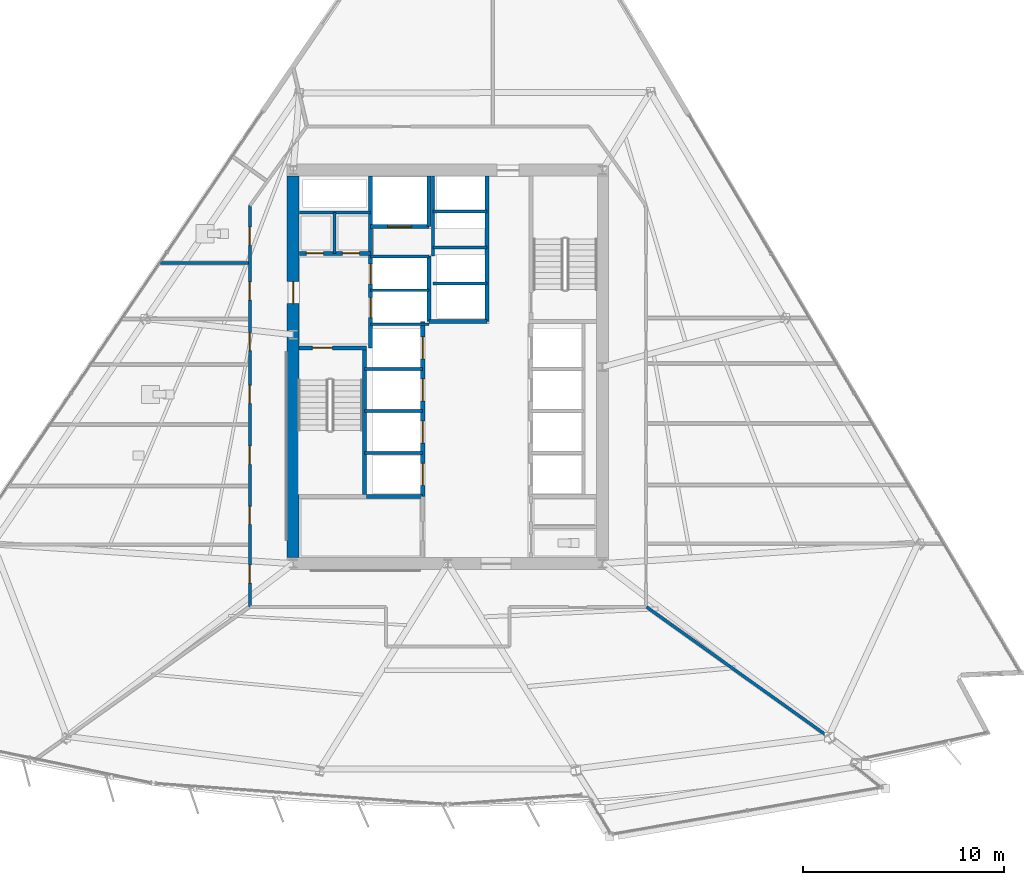
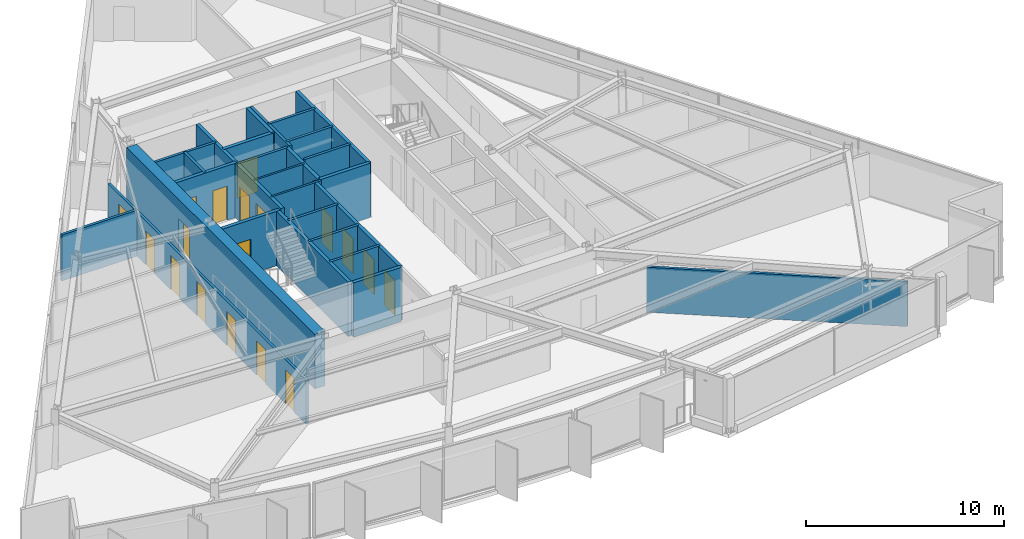
# One storey, part 8 of 15: 27 walls, 18 doors, 18 openings.
"""IFC4 building model written with IfcOpenShell, lengths in metres."""

from ifc_helpers import new_model, si_unit, direction, frame, frame_2d, origin, place, context, subcontext, project, spatial, rectangle, extrude, material, layer, layer_set, type_object, element, fill, save


model = new_model("IFC4")

# Units and contexts
model_context = context("Model", 3, precision=1e-05, world=origin(), true_north=direction((0.0, 1.0)))
body_context = subcontext(model_context, "Body", "Model", "MODEL_VIEW")
ifc_project = project(units=[si_unit("LENGTHUNIT", "METRE"), si_unit("AREAUNIT", "SQUARE_METRE"), si_unit("VOLUMEUNIT", "CUBIC_METRE"), si_unit("PLANEANGLEUNIT", "RADIAN"), si_unit("MASSUNIT", "GRAM", prefix="KILO")], contexts=[model_context])

# Site, building, storey
site_placement = place(None, origin())
site = spatial("IfcSite", under=ifc_project, at=site_placement, CompositionType="ELEMENT")
building_placement = place(site_placement, origin())
building = spatial("IfcBuilding", under=site, at=building_placement, Name="Savorim Split Tower", CompositionType="ELEMENT")
storey_placement = place(building_placement, frame((0.0, 0.0, 93.300048828125)))
storey = spatial("IfcBuildingStorey", under=building, at=storey_placement, Name="L24", CompositionType="ELEMENT", Elevation=93.300048828125)

# Wall, opening, door
ifc_material_1 = material(Name="Concrete C60/75", Category="concrete")
ifc_layer_1 = layer(ifc_material_1, 0.60009765625)
ifc_layer_set_1 = layer_set([ifc_layer_1], Name="WAL-COR-SH600")
wall_type_1 = type_object("IfcWallType", Name="WAL-COR-SH600", PredefinedType="SHEAR", material=ifc_layer_set_1)
wall_1_placement = place(storey_placement, frame((-7.699951171875, -9.10009765625, 0.0), z_axis=(0.0, 0.0, 1.0), x_axis=(0.0, 1.0, 0.0)))
wall_1 = element("IfcWall", 1, at=wall_1_placement, inside=storey, type_object=wall_type_1, Name="L24 Offset Core West Shear Wall", PredefinedType="SHEAR", context=body_context, shape_type="SweptSolid", body=[
    extrude(rectangle(XDim=19.0, YDim=0.60009765625, at=frame_2d((9.5, 0.0))), origin(), (0.0, 0.0, 1.0), 3.349853515625),
])
opening_1_placement = place(wall_1_placement, frame((12.64990234375, 0.0, 0.0)))
opening_1 = element("IfcOpeningElement", 2, at=opening_1_placement, cuts=wall_1, Name="Opening DI-03", PredefinedType="OPENING", context=body_context, shape_type="SweptSolid", body=[
    extrude(rectangle(XDim=1.10009765625, YDim=2.14990234375, at=frame_2d((0.550048828125, 1.074951171875))), frame((0.0, 0.31005859375, 0.0), z_axis=(0.0, -1.0, 0.0), x_axis=(1.0, 0.0, 0.0)), (0.0, 0.0, 1.0), 0.6201171875),
])
ifc_material_2 = material(Name="Timber Fire Door Leaf", Category="wood")
door_type_1 = type_object("IfcDoorType", Name="DOR-FIR-1100", OperationType="NOTDEFINED", PredefinedType="DOOR", material=ifc_material_2)
door_1_placement = place(opening_1_placement, origin())
door_1 = element("IfcDoor", 3, at=door_1_placement, inside=storey, type_object=door_type_1, Name="DOR-L24-COR-FFLOB - L24 Firefighting Lobby Corridor Door", OperationType="SINGLE_SWING_RIGHT", OverallHeight=2.14990234375, OverallWidth=1.10009765625, PredefinedType="DOOR", context=body_context, shape_type="SweptSolid", body=[
    extrude(rectangle(XDim=1.10009765625, YDim=2.14990234375, at=frame_2d((0.550048828125, 1.074951171875))), frame((0.0, 0.02490234375, 0.0), z_axis=(0.0, -1.0, 0.0), x_axis=(1.0, 0.0, 0.0)), (0.0, 0.0, 1.0), 0.050048828125),
])
fill(opening_1, door_1)

ifc_material_3 = material(Name="Concrete C50/60", Category="concrete")
ifc_layer_2 = layer(ifc_material_3, 0.199951171875)
ifc_layer_set_2 = layer_set([ifc_layer_2], Name="WAL-INT-RC200")
wall_type_2 = type_object("IfcWallType", Name="WAL-INT-RC200", PredefinedType="SOLIDWALL", material=ifc_layer_set_2)
wall_2_placement = place(storey_placement, frame((-7.39990234375, 1.35009765625, 0.0), z_axis=(0.0, 0.0, 1.0), x_axis=(1.0, 0.0, 0.0)))
wall_2 = element("IfcWall", 4, at=wall_2_placement, inside=storey, type_object=wall_type_2, Name="L24 Structural Shaft Wall W-L24-CR01", PredefinedType="SOLIDWALL", context=body_context, shape_type="SweptSolid", body=[
    extrude(rectangle(XDim=3.349853515625, YDim=0.199951171875, at=frame_2d((1.6748046875, 0.0))), origin(), (0.0, 0.0, 1.0), 3.349853515625),
])
opening_2_placement = place(wall_2_placement, frame((0.64990234375, 0.0, 0.0)))
opening_2 = element("IfcOpeningElement", 5, at=opening_2_placement, cuts=wall_2, Name="Opening DI-04", PredefinedType="OPENING", context=body_context, shape_type="SweptSolid", body=[
    extrude(rectangle(XDim=1.0, YDim=2.14990234375, at=frame_2d((0.5, 1.074951171875))), frame((0.0, 0.10986328125, 0.0), z_axis=(0.0, -1.0, 0.0), x_axis=(1.0, 0.0, 0.0)), (0.0, 0.0, 1.0), 0.219970703125),
])
door_type_2 = type_object("IfcDoorType", Name="DOR-FIR-1000", OperationType="NOTDEFINED", PredefinedType="DOOR", material=ifc_material_2)
door_2_placement = place(opening_2_placement, origin())
door_2 = element("IfcDoor", 6, at=door_2_placement, inside=storey, type_object=door_type_2, Name="DR-L24-ST1 - L24 Stair ST-1 Enclosure Door", OperationType="SINGLE_SWING_LEFT", OverallHeight=2.14990234375, OverallWidth=1.0, PredefinedType="DOOR", context=body_context, shape_type="SweptSolid", body=[
    extrude(rectangle(XDim=1.0, YDim=2.14990234375, at=frame_2d((0.5, 1.074951171875))), frame((0.0, 0.02490234375, 0.0), z_axis=(0.0, -1.0, 0.0), x_axis=(1.0, 0.0, 0.0)), (0.0, 0.0, 1.0), 0.050048828125),
])
fill(opening_2, door_2)

# Wall
wall_3_placement = place(storey_placement, frame((-4.14990234375, -5.949951171875, 0.0), z_axis=(0.0, 0.0, 1.0), x_axis=(0.0, 1.0, 0.0)))
element("IfcWall", 7, at=wall_3_placement, inside=storey, type_object=wall_type_2, Name="L24 Structural Shaft Wall W-L24-CR02", PredefinedType="SOLIDWALL", context=body_context, shape_type="SweptSolid", body=[
    extrude(rectangle(XDim=7.199951171875, YDim=0.199951171875, at=frame_2d((3.60009765625, 0.0))), origin(), (0.0, 0.0, 1.0), 3.349853515625),
])

# Wall, openings, doors
wall_4_placement = place(storey_placement, frame((-3.85009765625, 1.35009765625, 0.0), z_axis=(0.0, 0.0, 1.0), x_axis=(0.0, 1.0, 0.0)))
wall_4 = element("IfcWall", 8, at=wall_4_placement, inside=storey, type_object=wall_type_2, Name="L24 Partition W-L24-CR03", PredefinedType="SOLIDWALL", context=body_context, shape_type="SweptSolid", body=[
    extrude(rectangle(XDim=8.544921875, YDim=0.199951171875, at=frame_2d((4.2724609375, 0.0))), origin(), (0.0, 0.0, 1.0), 3.349853515625),
])
opening_3_placement = place(wall_4_placement, frame((1.5, 0.0, 0.0)))
opening_3 = element("IfcOpeningElement", 9, at=opening_3_placement, cuts=wall_4, Name="Opening LD-FFL", PredefinedType="OPENING", context=body_context, shape_type="SweptSolid", body=[
    extrude(rectangle(XDim=1.0, YDim=2.14990234375, at=frame_2d((0.5, 1.074951171875))), frame((0.0, 0.10986328125, 0.0), z_axis=(0.0, -1.0, 0.0), x_axis=(1.0, 0.0, 0.0)), (0.0, 0.0, 1.0), 0.219970703125),
])
opening_4_placement = place(wall_4_placement, frame((3.179931640625, 0.0, 0.0)))
opening_4 = element("IfcOpeningElement", 10, at=opening_4_placement, cuts=wall_4, Name="Opening LD-FFL", PredefinedType="OPENING", context=body_context, shape_type="SweptSolid", body=[
    extrude(rectangle(XDim=1.0, YDim=2.14990234375, at=frame_2d((0.5, 1.074951171875))), frame((0.0, 0.10986328125, 0.0), z_axis=(0.0, -1.0, 0.0), x_axis=(1.0, 0.0, 0.0)), (0.0, 0.0, 1.0), 0.219970703125),
])
ifc_material_4 = material(Name="Charcoal Anodised Aluminium", Category="aluminium")
door_type_3 = type_object("IfcDoorType", Name="DOR-SLD-LD1000", OperationType="NOTDEFINED", PredefinedType="DOOR", material=ifc_material_4)
door_3_placement = place(opening_3_placement, origin())
door_3 = element("IfcDoor", 11, at=door_3_placement, inside=storey, type_object=door_type_3, Name="DR-L24-LD-FFL1 - L24 Firefighting Lift FFL-1 Sliding Landing Door", OperationType="DOUBLE_DOOR_SLIDING", OverallHeight=2.14990234375, OverallWidth=1.0, PredefinedType="DOOR", context=body_context, shape_type="SweptSolid", body=[
    extrude(rectangle(XDim=1.0, YDim=2.14990234375, at=frame_2d((0.5, 1.074951171875))), frame((0.0, 0.02490234375, 0.0), z_axis=(0.0, -1.0, 0.0), x_axis=(1.0, 0.0, 0.0)), (0.0, 0.0, 1.0), 0.050048828125),
])
fill(opening_3, door_3)
door_4_placement = place(opening_4_placement, origin())
door_4 = element("IfcDoor", 12, at=door_4_placement, inside=storey, type_object=door_type_3, Name="DR-L24-LD-FFL2 - L24 Firefighting Lift FFL-2 Sliding Landing Door", OperationType="DOUBLE_DOOR_SLIDING", OverallHeight=2.14990234375, OverallWidth=1.0, PredefinedType="DOOR", context=body_context, shape_type="SweptSolid", body=[
    extrude(rectangle(XDim=1.0, YDim=2.14990234375, at=frame_2d((0.5, 1.074951171875))), frame((0.0, 0.02490234375, 0.0), z_axis=(0.0, -1.0, 0.0), x_axis=(1.0, 0.0, 0.0)), (0.0, 0.0, 1.0), 0.050048828125),
])
fill(opening_4, door_4)

wall_5_placement = place(storey_placement, frame((-7.39501953125, 6.050048828125, 0.0), z_axis=(0.0, 0.0, 1.0), x_axis=(1.0, 0.0, 0.0)))
wall_5 = element("IfcWall", 13, at=wall_5_placement, inside=storey, type_object=wall_type_2, Name="L24 Partition W-L24-CR04", PredefinedType="SOLIDWALL", context=body_context, shape_type="SweptSolid", body=[
    extrude(rectangle(XDim=3.544921875, YDim=0.199951171875, at=frame_2d((1.7724609375, 0.0))), origin(), (0.0, 0.0, 1.0), 3.349853515625),
])
opening_5_placement = place(wall_5_placement, frame((0.344970703125, 0.0, 0.0)))
opening_5 = element("IfcOpeningElement", 14, at=opening_5_placement, cuts=wall_5, Name="Opening DI-12", PredefinedType="OPENING", context=body_context, shape_type="SweptSolid", body=[
    extrude(rectangle(XDim=0.85009765625, YDim=2.10009765625, at=frame_2d((0.425048828125, 1.050048828125))), frame((0.0, 0.10986328125, 0.0), z_axis=(0.0, -1.0, 0.0), x_axis=(1.0, 0.0, 0.0)), (0.0, 0.0, 1.0), 0.219970703125),
])
opening_6_placement = place(wall_5_placement, frame((2.14501953125, 0.0, 0.0)))
opening_6 = element("IfcOpeningElement", 15, at=opening_6_placement, cuts=wall_5, Name="Opening DI-12", PredefinedType="OPENING", context=body_context, shape_type="SweptSolid", body=[
    extrude(rectangle(XDim=0.85009765625, YDim=2.10009765625, at=frame_2d((0.425048828125, 1.050048828125))), frame((0.0, 0.10986328125, 0.0), z_axis=(0.0, -1.0, 0.0), x_axis=(1.0, 0.0, 0.0)), (0.0, 0.0, 1.0), 0.219970703125),
])
ifc_material_5 = material(Name="Galvanised Painted Steel Balustrade", Category="steel")
door_type_4 = type_object("IfcDoorType", Name="DOR-RIS-850", OperationType="NOTDEFINED", PredefinedType="DOOR", material=ifc_material_5)
door_5_placement = place(opening_5_placement, origin())
door_5 = element("IfcDoor", 16, at=door_5_placement, inside=storey, type_object=door_type_4, Name="DR-L24-ELR - L24 Electrical Riser Access Door", OperationType="SINGLE_SWING_RIGHT", OverallHeight=2.10009765625, OverallWidth=0.85009765625, PredefinedType="DOOR", context=body_context, shape_type="SweptSolid", body=[
    extrude(rectangle(XDim=0.85009765625, YDim=2.10009765625, at=frame_2d((0.425048828125, 1.050048828125))), frame((0.0, 0.02490234375, 0.0), z_axis=(0.0, -1.0, 0.0), x_axis=(1.0, 0.0, 0.0)), (0.0, 0.0, 1.0), 0.050048828125),
])
fill(opening_5, door_5)
door_6_placement = place(opening_6_placement, origin())
door_6 = element("IfcDoor", 17, at=door_6_placement, inside=storey, type_object=door_type_4, Name="DR-L24-TLR - L24 Telecom Riser Access Door", OperationType="SINGLE_SWING_LEFT", OverallHeight=2.10009765625, OverallWidth=0.85009765625, PredefinedType="DOOR", context=body_context, shape_type="SweptSolid", body=[
    extrude(rectangle(XDim=0.85009765625, YDim=2.10009765625, at=frame_2d((0.425048828125, 1.050048828125))), frame((0.0, 0.02490234375, 0.0), z_axis=(0.0, -1.0, 0.0), x_axis=(1.0, 0.0, 0.0)), (0.0, 0.0, 1.0), 0.050048828125),
])
fill(opening_6, door_6)

# Wall
wall_6_placement = place(storey_placement, frame((-0.949951171875, 2.64990234375, 0.0), z_axis=(0.0, 0.0, 1.0), x_axis=(0.0, 1.0, 0.0)))
element("IfcWall", 18, at=wall_6_placement, inside=storey, type_object=wall_type_2, Name="L24 Partition W-L24-FFLW", PredefinedType="SOLIDWALL", context=body_context, shape_type="SweptSolid", body=[
    extrude(rectangle(XDim=3.27001953125, YDim=0.199951171875, at=frame_2d((1.635009765625, 0.0))), origin(), (0.0, 0.0, 1.0), 3.349853515625),
])

# Wall, opening, door
wall_7_placement = place(storey_placement, frame((-3.85009765625, 7.3798828125, 0.0), z_axis=(0.0, 0.0, 1.0), x_axis=(1.0, 0.0, 0.0)))
wall_7 = element("IfcWall", 19, at=wall_7_placement, inside=storey, type_object=wall_type_2, Name="L24 Partition W-L24-SVLS", PredefinedType="SOLIDWALL", context=body_context, shape_type="SweptSolid", body=[
    extrude(rectangle(XDim=2.900146484375, YDim=0.199951171875, at=frame_2d((1.4501953125, 0.0))), origin(), (0.0, 0.0, 1.0), 3.349853515625),
])
opening_7_placement = place(wall_7_placement, frame((0.85009765625, 0.0, 0.0)))
opening_7 = element("IfcOpeningElement", 20, at=opening_7_placement, cuts=wall_7, Name="Opening LD-SV", PredefinedType="OPENING", context=body_context, shape_type="SweptSolid", body=[
    extrude(rectangle(XDim=1.199951171875, YDim=2.199951171875, at=frame_2d((0.60009765625, 1.10009765625))), frame((0.0, 0.10986328125, 0.0), z_axis=(0.0, -1.0, 0.0), x_axis=(1.0, 0.0, 0.0)), (0.0, 0.0, 1.0), 0.219970703125),
])
door_type_5 = type_object("IfcDoorType", Name="DOR-SLD-SV1200", OperationType="NOTDEFINED", PredefinedType="DOOR", material=ifc_material_4)
door_7_placement = place(opening_7_placement, origin())
door_7 = element("IfcDoor", 21, at=door_7_placement, inside=storey, type_object=door_type_5, Name="DR-L24-LD-SVL1 - L24 Service Lift SVL-1 Sliding Landing Door", OperationType="DOUBLE_DOOR_SLIDING", OverallHeight=2.199951171875, OverallWidth=1.199951171875, PredefinedType="DOOR", context=body_context, shape_type="SweptSolid", body=[
    extrude(rectangle(XDim=1.199951171875, YDim=2.199951171875, at=frame_2d((0.60009765625, 1.10009765625))), frame((0.0, 0.02490234375, 0.0), z_axis=(0.0, -1.0, 0.0), x_axis=(1.0, 0.0, 0.0)), (0.0, 0.0, 1.0), 0.050048828125),
])
fill(opening_7, door_7)

# Wall
wall_8_placement = place(storey_placement, frame((-0.949951171875, 7.3798828125, 0.0), z_axis=(0.0, 0.0, 1.0), x_axis=(0.0, 1.0, 0.0)))
element("IfcWall", 22, at=wall_8_placement, inside=storey, type_object=wall_type_2, Name="L24 Partition W-L24-SVLE", PredefinedType="SOLIDWALL", context=body_context, shape_type="SweptSolid", body=[
    extrude(rectangle(XDim=2.51513671875, YDim=0.199951171875, at=frame_2d((1.257568359375, 0.0))), origin(), (0.0, 0.0, 1.0), 3.349853515625),
])

# Wall, openings, doors
wall_9_placement = place(storey_placement, frame((-1.25, -6.050048828125, 0.0), z_axis=(0.0, 0.0, 1.0), x_axis=(0.0, 1.0, 0.0)))
wall_9 = element("IfcWall", 23, at=wall_9_placement, inside=storey, type_object=wall_type_2, Name="L24 Partition W-L24-B2FRONT", PredefinedType="SOLIDWALL", context=body_context, shape_type="SweptSolid", body=[
    extrude(rectangle(XDim=8.699951171875, YDim=0.199951171875, at=frame_2d((4.35009765625, 0.0))), origin(), (0.0, 0.0, 1.0), 3.349853515625),
])
opening_8_placement = place(wall_9_placement, frame((0.550048828125, 0.0, 0.0)))
opening_8 = element("IfcOpeningElement", 24, at=opening_8_placement, cuts=wall_9, Name="Opening LD-02", PredefinedType="OPENING", context=body_context, shape_type="SweptSolid", body=[
    extrude(rectangle(XDim=1.10009765625, YDim=2.14990234375, at=frame_2d((0.550048828125, 1.074951171875))), frame((0.0, 0.10986328125, 0.0), z_axis=(0.0, -1.0, 0.0), x_axis=(1.0, 0.0, 0.0)), (0.0, 0.0, 1.0), 0.219970703125),
])
opening_9_placement = place(wall_9_placement, frame((2.64990234375, 0.0, 0.0)))
opening_9 = element("IfcOpeningElement", 25, at=opening_9_placement, cuts=wall_9, Name="Opening LD-02", PredefinedType="OPENING", context=body_context, shape_type="SweptSolid", body=[
    extrude(rectangle(XDim=1.10009765625, YDim=2.14990234375, at=frame_2d((0.550048828125, 1.074951171875))), frame((0.0, 0.10986328125, 0.0), z_axis=(0.0, -1.0, 0.0), x_axis=(1.0, 0.0, 0.0)), (0.0, 0.0, 1.0), 0.219970703125),
])
opening_10_placement = place(wall_9_placement, frame((4.75, 0.0, 0.0)))
opening_10 = element("IfcOpeningElement", 26, at=opening_10_placement, cuts=wall_9, Name="Opening LD-02", PredefinedType="OPENING", context=body_context, shape_type="SweptSolid", body=[
    extrude(rectangle(XDim=1.10009765625, YDim=2.14990234375, at=frame_2d((0.550048828125, 1.074951171875))), frame((0.0, 0.10986328125, 0.0), z_axis=(0.0, -1.0, 0.0), x_axis=(1.0, 0.0, 0.0)), (0.0, 0.0, 1.0), 0.219970703125),
])
opening_11_placement = place(wall_9_placement, frame((6.85009765625, 0.0, 0.0)))
opening_11 = element("IfcOpeningElement", 27, at=opening_11_placement, cuts=wall_9, Name="Opening LD-02", PredefinedType="OPENING", context=body_context, shape_type="SweptSolid", body=[
    extrude(rectangle(XDim=1.10009765625, YDim=2.14990234375, at=frame_2d((0.550048828125, 1.074951171875))), frame((0.0, 0.10986328125, 0.0), z_axis=(0.0, -1.0, 0.0), x_axis=(1.0, 0.0, 0.0)), (0.0, 0.0, 1.0), 0.219970703125),
])
door_type_6 = type_object("IfcDoorType", Name="DOR-SLD-LDM1100", OperationType="NOTDEFINED", PredefinedType="DOOR", material=ifc_material_4)
door_8_placement = place(opening_8_placement, origin())
door_8 = element("IfcDoor", 28, at=door_8_placement, inside=storey, type_object=door_type_6, Name="DR-L24-LD-PLM1 - L24 Lift PL-M1 Sliding Landing Door", OperationType="DOUBLE_DOOR_SLIDING", OverallHeight=2.14990234375, OverallWidth=1.10009765625, PredefinedType="DOOR", context=body_context, shape_type="SweptSolid", body=[
    extrude(rectangle(XDim=1.10009765625, YDim=2.14990234375, at=frame_2d((0.550048828125, 1.074951171875))), frame((0.0, 0.02490234375, 0.0), z_axis=(0.0, -1.0, 0.0), x_axis=(1.0, 0.0, 0.0)), (0.0, 0.0, 1.0), 0.050048828125),
])
fill(opening_8, door_8)
door_9_placement = place(opening_9_placement, origin())
door_9 = element("IfcDoor", 29, at=door_9_placement, inside=storey, type_object=door_type_6, Name="DR-L24-LD-PLM2 - L24 Lift PL-M2 Sliding Landing Door", OperationType="DOUBLE_DOOR_SLIDING", OverallHeight=2.14990234375, OverallWidth=1.10009765625, PredefinedType="DOOR", context=body_context, shape_type="SweptSolid", body=[
    extrude(rectangle(XDim=1.10009765625, YDim=2.14990234375, at=frame_2d((0.550048828125, 1.074951171875))), frame((0.0, 0.02490234375, 0.0), z_axis=(0.0, -1.0, 0.0), x_axis=(1.0, 0.0, 0.0)), (0.0, 0.0, 1.0), 0.050048828125),
])
fill(opening_9, door_9)
door_10_placement = place(opening_10_placement, origin())
door_10 = element("IfcDoor", 30, at=door_10_placement, inside=storey, type_object=door_type_6, Name="DR-L24-LD-PLM3 - L24 Lift PL-M3 Sliding Landing Door", OperationType="DOUBLE_DOOR_SLIDING", OverallHeight=2.14990234375, OverallWidth=1.10009765625, PredefinedType="DOOR", context=body_context, shape_type="SweptSolid", body=[
    extrude(rectangle(XDim=1.10009765625, YDim=2.14990234375, at=frame_2d((0.550048828125, 1.074951171875))), frame((0.0, 0.02490234375, 0.0), z_axis=(0.0, -1.0, 0.0), x_axis=(1.0, 0.0, 0.0)), (0.0, 0.0, 1.0), 0.050048828125),
])
fill(opening_10, door_10)
door_11_placement = place(opening_11_placement, origin())
door_11 = element("IfcDoor", 31, at=door_11_placement, inside=storey, type_object=door_type_6, Name="DR-L24-LD-PLM4 - L24 Lift PL-M4 Sliding Landing Door", OperationType="DOUBLE_DOOR_SLIDING", OverallHeight=2.14990234375, OverallWidth=1.10009765625, PredefinedType="DOOR", context=body_context, shape_type="SweptSolid", body=[
    extrude(rectangle(XDim=1.10009765625, YDim=2.14990234375, at=frame_2d((0.550048828125, 1.074951171875))), frame((0.0, 0.02490234375, 0.0), z_axis=(0.0, -1.0, 0.0), x_axis=(1.0, 0.0, 0.0)), (0.0, 0.0, 1.0), 0.050048828125),
])
fill(opening_11, door_11)

# Walls
wall_10_placement = place(storey_placement, frame((1.949951171875, 2.64990234375, 0.0), z_axis=(0.0, 0.0, 1.0), x_axis=(0.0, 1.0, 0.0)))
element("IfcWall", 32, at=wall_10_placement, inside=storey, type_object=wall_type_2, Name="L24 Partition W-L24-B3FRONT", PredefinedType="SOLIDWALL", context=body_context, shape_type="SweptSolid", body=[
    extrude(rectangle(XDim=7.2451171875, YDim=0.199951171875, at=frame_2d((3.62255859375, 0.0))), origin(), (0.0, 0.0, 1.0), 3.349853515625),
])
wall_11_placement = place(storey_placement, frame((-0.949951171875, 2.64990234375, 0.0), z_axis=(0.0, 0.0, 1.0), x_axis=(1.0, 0.0, 0.0)))
element("IfcWall", 33, at=wall_11_placement, inside=storey, type_object=wall_type_2, Name="L24 Partition W-L24-B3SOUTH", PredefinedType="SOLIDWALL", context=body_context, shape_type="SweptSolid", body=[
    extrude(rectangle(XDim=2.89990234375, YDim=0.199951171875, at=frame_2d((1.449951171875, 0.0))), origin(), (0.0, 0.0, 1.0), 3.349853515625),
])
wall_12_placement = place(storey_placement, frame((-4.0400390625, -6.050048828125, 0.0), z_axis=(0.0, 0.0, 1.0), x_axis=(1.0, 0.0, 0.0)))
element("IfcWall", 34, at=wall_12_placement, inside=storey, type_object=wall_type_2, Name="L24 Partition W-L24-KSEP-W2", PredefinedType="SOLIDWALL", context=body_context, shape_type="SweptSolid", body=[
    extrude(rectangle(XDim=2.7900390625, YDim=0.199951171875, at=frame_2d((1.39501953125, 0.0))), origin(), (0.0, 0.0, 1.0), 3.349853515625),
])
ifc_material_6 = material(Name="Acoustic Gypsum Partition Board")
ifc_layer_3 = layer(ifc_material_6, 0.1201171875)
ifc_layer_set_3 = layer_set([ifc_layer_3], Name="WAL-PAR-120")
wall_type_3 = type_object("IfcWallType", Name="WAL-PAR-120", PredefinedType="PARTITIONING", material=ifc_layer_set_3)
for number, where, z_axis, x_axis, name in (
    (35, (-3.85009765625, 2.52001953125, 0.0), (0.0, 0.0, 1.0), (1.0, 0.0, 0.0), "L24 Partition W-L24-FFLD0"),
    (36, (-3.85009765625, 4.219970703125, 0.0), (0.0, 0.0, 1.0), (1.0, 0.0, 0.0), "L24 Partition W-L24-FFLD1"),
):
    element("IfcWall", number, at=place(storey_placement, frame(where, z_axis=z_axis, x_axis=x_axis)), inside=storey, type_object=wall_type_3, Name=name, PredefinedType="PARTITIONING", context=body_context, shape_type="SweptSolid", body=[
        extrude(rectangle(XDim=2.900146484375, YDim=0.1201171875, at=frame_2d((1.4501953125, 0.0))), origin(), (0.0, 0.0, 1.0), 3.349853515625),
    ])
ifc_layer_4 = layer(ifc_material_6, 0.14990234375)
ifc_layer_set_4 = layer_set([ifc_layer_4], Name="WAL-PAR-150")
wall_type_4 = type_object("IfcWallType", Name="WAL-PAR-150", PredefinedType="PARTITIONING", material=ifc_layer_set_4)
wall_13_placement = place(storey_placement, frame((-7.39501953125, 8.10009765625, 0.0), z_axis=(0.0, 0.0, 1.0), x_axis=(1.0, 0.0, 0.0)))
element("IfcWall", 37, at=wall_13_placement, inside=storey, type_object=wall_type_4, Name="L24 Partition W-L24-CR05", PredefinedType="PARTITIONING", context=body_context, shape_type="SweptSolid", body=[
    extrude(rectangle(XDim=3.544921875, YDim=0.14990234375, at=frame_2d((1.7724609375, 0.0))), origin(), (0.0, 0.0, 1.0), 3.349853515625),
])
wall_14_placement = place(storey_placement, frame((-5.64990234375, 6.050048828125, 0.0), z_axis=(0.0, 0.0, 1.0), x_axis=(0.0, 1.0, 0.0)))
element("IfcWall", 38, at=wall_14_placement, inside=storey, type_object=wall_type_4, Name="L24 Partition W-L24-CR06", PredefinedType="PARTITIONING", context=body_context, shape_type="SweptSolid", body=[
    extrude(rectangle(XDim=2.050048828125, YDim=0.14990234375, at=frame_2d((1.02490234375, 0.0))), origin(), (0.0, 0.0, 1.0), 3.349853515625),
])
wall_15_placement = place(storey_placement, frame((-3.85009765625, 5.89990234375, 0.0), z_axis=(0.0, 0.0, 1.0), x_axis=(1.0, 0.0, 0.0)))
element("IfcWall", 39, at=wall_15_placement, inside=storey, type_object=wall_type_4, Name="L24 Partition W-L24-FFLD2", PredefinedType="PARTITIONING", context=body_context, shape_type="SweptSolid", body=[
    extrude(rectangle(XDim=2.900146484375, YDim=0.14990234375, at=frame_2d((1.4501953125, 0.0))), origin(), (0.0, 0.0, 1.0), 3.349853515625),
])
for number, where, z_axis, x_axis, name in (
    (40, (-4.14990234375, -3.89990234375, 0.0), (0.0, 0.0, 1.0), (1.0, 0.0, 0.0), "L24 Partition W-L24-B2DIV1"),
    (41, (-4.14990234375, -1.800048828125, 0.0), (0.0, 0.0, 1.0), (1.0, 0.0, 0.0), "L24 Partition W-L24-B2DIV2"),
    (42, (-4.14990234375, 0.300048828125, 0.0), (0.0, 0.0, 1.0), (1.0, 0.0, 0.0), "L24 Partition W-L24-B2DIV3"),
):
    element("IfcWall", number, at=place(storey_placement, frame(where, z_axis=z_axis, x_axis=x_axis)), inside=storey, type_object=wall_type_4, Name=name, PredefinedType="PARTITIONING", context=body_context, shape_type="SweptSolid", body=[
        extrude(rectangle(XDim=2.89990234375, YDim=0.14990234375, at=frame_2d((1.449951171875, 0.0))), origin(), (0.0, 0.0, 1.0), 3.349853515625),
    ])
wall_16_placement = place(storey_placement, frame((-0.75, 5.919921875, 0.0), z_axis=(0.0, 0.0, 1.0), x_axis=(0.0, 1.0, 0.0)))
element("IfcWall", 43, at=wall_16_placement, inside=storey, type_object=wall_type_4, Name="L24 Partition W-L24-B3WEST", PredefinedType="PARTITIONING", context=body_context, shape_type="SweptSolid", body=[
    extrude(rectangle(XDim=3.97509765625, YDim=0.14990234375, at=frame_2d((1.987548828125, 0.0))), origin(), (0.0, 0.0, 1.0), 3.349853515625),
])
for number, where, z_axis, x_axis, name in (
    (44, (-0.75, 4.550048828125, 0.0), (0.0, 0.0, 1.0), (1.0, 0.0, 0.0), "L24 Partition W-L24-B3DIV1"),
    (45, (-0.75, 6.35009765625, 0.0), (0.0, 0.0, 1.0), (1.0, 0.0, 0.0), "L24 Partition W-L24-B3DIV2"),
    (46, (-0.75, 8.14990234375, 0.0), (0.0, 0.0, 1.0), (1.0, 0.0, 0.0), "L24 Partition W-L24-B3DIV3"),
):
    element("IfcWall", number, at=place(storey_placement, frame(where, z_axis=z_axis, x_axis=x_axis)), inside=storey, type_object=wall_type_4, Name=name, PredefinedType="PARTITIONING", context=body_context, shape_type="SweptSolid", body=[
        extrude(rectangle(XDim=2.699951171875, YDim=0.14990234375, at=frame_2d((1.35009765625, 0.0))), origin(), (0.0, 0.0, 1.0), 3.349853515625),
    ])

# Wall, openings, doors
wall_17_placement = place(storey_placement, frame((-9.860107421875, -11.56005859375, 0.0), z_axis=(0.0, 0.0, 1.0), x_axis=(0.0, 1.0, 0.0)))
wall_17 = element("IfcWall", 47, at=wall_17_placement, inside=storey, type_object=wall_type_4, Name="L24 Partition W-L24-COR-01", PredefinedType="PARTITIONING", context=body_context, shape_type="SweptSolid", body=[
    extrude(rectangle(XDim=19.98583984375, YDim=0.14990234375, at=frame_2d((9.992919921875, 0.0))), origin(), (0.0, 0.0, 1.0), 2.704833984375),
])
opening_12_placement = place(wall_17_placement, frame((10.139892578125, 0.0, 0.0)))
opening_12 = element("IfcOpeningElement", 48, at=opening_12_placement, cuts=wall_17, Name="Opening DI-11", PredefinedType="OPENING", context=body_context, shape_type="SweptSolid", body=[
    extrude(rectangle(XDim=0.89990234375, YDim=2.10009765625, at=frame_2d((0.449951171875, 1.050048828125))), frame((0.0, 0.0849609375, 0.0), z_axis=(0.0, -1.0, 0.0), x_axis=(1.0, 0.0, 0.0)), (0.0, 0.0, 1.0), 0.169921875),
])
opening_13_placement = place(wall_17_placement, frame((7.108642578125, 0.0, 0.0)))
opening_13 = element("IfcOpeningElement", 49, at=opening_13_placement, cuts=wall_17, Name="Opening DI-06", PredefinedType="OPENING", context=body_context, shape_type="SweptSolid", body=[
    extrude(rectangle(XDim=0.89990234375, YDim=2.10009765625, at=frame_2d((0.449951171875, 1.050048828125))), frame((0.0, 0.0849609375, 0.0), z_axis=(0.0, -1.0, 0.0), x_axis=(1.0, 0.0, 0.0)), (0.0, 0.0, 1.0), 0.169921875),
])
opening_14_placement = place(wall_17_placement, frame((4.114990234375, 0.0, 0.0)))
opening_14 = element("IfcOpeningElement", 50, at=opening_14_placement, cuts=wall_17, Name="Opening DI-06", PredefinedType="OPENING", context=body_context, shape_type="SweptSolid", body=[
    extrude(rectangle(XDim=0.89990234375, YDim=2.10009765625, at=frame_2d((0.449951171875, 1.050048828125))), frame((0.0, 0.0849609375, 0.0), z_axis=(0.0, -1.0, 0.0), x_axis=(1.0, 0.0, 0.0)), (0.0, 0.0, 1.0), 0.169921875),
])
opening_15_placement = place(wall_17_placement, frame((1.192138671875, 0.0, 0.0)))
opening_15 = element("IfcOpeningElement", 51, at=opening_15_placement, cuts=wall_17, Name="Opening DI-06", PredefinedType="OPENING", context=body_context, shape_type="SweptSolid", body=[
    extrude(rectangle(XDim=0.89990234375, YDim=2.10009765625, at=frame_2d((0.449951171875, 1.050048828125))), frame((0.0, 0.0849609375, 0.0), z_axis=(0.0, -1.0, 0.0), x_axis=(1.0, 0.0, 0.0)), (0.0, 0.0, 1.0), 0.169921875),
])
opening_16_placement = place(wall_17_placement, frame((18.01708984375, 0.0, 0.0)))
opening_16 = element("IfcOpeningElement", 52, at=opening_16_placement, cuts=wall_17, Name="Opening DI-11", PredefinedType="OPENING", context=body_context, shape_type="SweptSolid", body=[
    extrude(rectangle(XDim=0.89990234375, YDim=2.10009765625, at=frame_2d((0.449951171875, 1.050048828125))), frame((0.0, 0.0849609375, 0.0), z_axis=(0.0, -1.0, 0.0), x_axis=(1.0, 0.0, 0.0)), (0.0, 0.0, 1.0), 0.169921875),
])
opening_17_placement = place(wall_17_placement, frame((15.287841796875, 0.0, 0.0)))
opening_17 = element("IfcOpeningElement", 53, at=opening_17_placement, cuts=wall_17, Name="Opening DI-06", PredefinedType="OPENING", context=body_context, shape_type="SweptSolid", body=[
    extrude(rectangle(XDim=0.89990234375, YDim=2.10009765625, at=frame_2d((0.449951171875, 1.050048828125))), frame((0.0, 0.0849609375, 0.0), z_axis=(0.0, -1.0, 0.0), x_axis=(1.0, 0.0, 0.0)), (0.0, 0.0, 1.0), 0.169921875),
])
opening_18_placement = place(wall_17_placement, frame((12.767822265625, 0.0, 0.0)))
opening_18 = element("IfcOpeningElement", 54, at=opening_18_placement, cuts=wall_17, Name="Opening DI-06", PredefinedType="OPENING", context=body_context, shape_type="SweptSolid", body=[
    extrude(rectangle(XDim=0.89990234375, YDim=2.10009765625, at=frame_2d((0.449951171875, 1.050048828125))), frame((0.0, 0.0849609375, 0.0), z_axis=(0.0, -1.0, 0.0), x_axis=(1.0, 0.0, 0.0)), (0.0, 0.0, 1.0), 0.169921875),
])
door_type_7 = type_object("IfcDoorType", Name="DOR-FIR-900", OperationType="NOTDEFINED", PredefinedType="DOOR", material=ifc_material_2)
door_12_placement = place(opening_13_placement, origin())
door_12 = element("IfcDoor", 55, at=door_12_placement, inside=storey, type_object=door_type_7, Name="DR-L24-RM02 - L24 Shared Kitchen Entry Door", OperationType="SINGLE_SWING_LEFT", OverallHeight=2.10009765625, OverallWidth=0.89990234375, PredefinedType="DOOR", context=body_context, shape_type="SweptSolid", body=[
    extrude(rectangle(XDim=0.89990234375, YDim=2.10009765625, at=frame_2d((0.449951171875, 1.050048828125))), frame((0.0, 0.02490234375, 0.0), z_axis=(0.0, -1.0, 0.0), x_axis=(1.0, 0.0, 0.0)), (0.0, 0.0, 1.0), 0.050048828125),
])
fill(opening_13, door_12)
door_13_placement = place(opening_14_placement, origin())
door_13 = element("IfcDoor", 56, at=door_13_placement, inside=storey, type_object=door_type_7, Name="DR-L24-RM03 - L24 Co-Working Commons Entry Door", OperationType="SINGLE_SWING_RIGHT", OverallHeight=2.10009765625, OverallWidth=0.89990234375, PredefinedType="DOOR", context=body_context, shape_type="SweptSolid", body=[
    extrude(rectangle(XDim=0.89990234375, YDim=2.10009765625, at=frame_2d((0.449951171875, 1.050048828125))), frame((0.0, 0.02490234375, 0.0), z_axis=(0.0, -1.0, 0.0), x_axis=(1.0, 0.0, 0.0)), (0.0, 0.0, 1.0), 0.050048828125),
])
fill(opening_14, door_13)
door_14_placement = place(opening_15_placement, origin())
door_14 = element("IfcDoor", 57, at=door_14_placement, inside=storey, type_object=door_type_7, Name="DR-L24-RM04 - L24 Co-Working Commons Entry Door", OperationType="SINGLE_SWING_LEFT", OverallHeight=2.10009765625, OverallWidth=0.89990234375, PredefinedType="DOOR", context=body_context, shape_type="SweptSolid", body=[
    extrude(rectangle(XDim=0.89990234375, YDim=2.10009765625, at=frame_2d((0.449951171875, 1.050048828125))), frame((0.0, 0.02490234375, 0.0), z_axis=(0.0, -1.0, 0.0), x_axis=(1.0, 0.0, 0.0)), (0.0, 0.0, 1.0), 0.050048828125),
])
fill(opening_15, door_14)
door_15_placement = place(opening_17_placement, origin())
door_15 = element("IfcDoor", 58, at=door_15_placement, inside=storey, type_object=door_type_7, Name="DR-L24-RM15 - L24 Maker Workshop Entry Door", OperationType="SINGLE_SWING_RIGHT", OverallHeight=2.10009765625, OverallWidth=0.89990234375, PredefinedType="DOOR", context=body_context, shape_type="SweptSolid", body=[
    extrude(rectangle(XDim=0.89990234375, YDim=2.10009765625, at=frame_2d((0.449951171875, 1.050048828125))), frame((0.0, 0.02490234375, 0.0), z_axis=(0.0, -1.0, 0.0), x_axis=(1.0, 0.0, 0.0)), (0.0, 0.0, 1.0), 0.050048828125),
])
fill(opening_17, door_15)
door_16_placement = place(opening_18_placement, origin())
door_16 = element("IfcDoor", 59, at=door_16_placement, inside=storey, type_object=door_type_7, Name="DR-L24-RM16 - L24 Co-Living Bedroom Entry Door", OperationType="SINGLE_SWING_LEFT", OverallHeight=2.10009765625, OverallWidth=0.89990234375, PredefinedType="DOOR", context=body_context, shape_type="SweptSolid", body=[
    extrude(rectangle(XDim=0.89990234375, YDim=2.10009765625, at=frame_2d((0.449951171875, 1.050048828125))), frame((0.0, 0.02490234375, 0.0), z_axis=(0.0, -1.0, 0.0), x_axis=(1.0, 0.0, 0.0)), (0.0, 0.0, 1.0), 0.050048828125),
])
fill(opening_18, door_16)
ifc_material_7 = material(Name="Oak Veneer Acoustic Door")
door_type_8 = type_object("IfcDoorType", Name="DOR-WC-900", OperationType="NOTDEFINED", PredefinedType="DOOR", material=ifc_material_7)
door_17_placement = place(opening_12_placement, origin())
door_17 = element("IfcDoor", 60, at=door_17_placement, inside=storey, type_object=door_type_8, Name="DR-L24-RM01 - L24 Shared Bathroom Entry Door", OperationType="SINGLE_SWING_RIGHT", OverallHeight=2.10009765625, OverallWidth=0.89990234375, PredefinedType="DOOR", context=body_context, shape_type="SweptSolid", body=[
    extrude(rectangle(XDim=0.89990234375, YDim=2.10009765625, at=frame_2d((0.449951171875, 1.050048828125))), frame((0.0, 0.02490234375, 0.0), z_axis=(0.0, -1.0, 0.0), x_axis=(1.0, 0.0, 0.0)), (0.0, 0.0, 1.0), 0.050048828125),
])
fill(opening_12, door_17)
door_18_placement = place(opening_16_placement, origin())
door_18 = element("IfcDoor", 61, at=door_18_placement, inside=storey, type_object=door_type_8, Name="DR-L24-RM14 - L24 Shared Bathroom Entry Door", OperationType="SINGLE_SWING_LEFT", OverallHeight=2.10009765625, OverallWidth=0.89990234375, PredefinedType="DOOR", context=body_context, shape_type="SweptSolid", body=[
    extrude(rectangle(XDim=0.89990234375, YDim=2.10009765625, at=frame_2d((0.449951171875, 1.050048828125))), frame((0.0, 0.02490234375, 0.0), z_axis=(0.0, -1.0, 0.0), x_axis=(1.0, 0.0, 0.0)), (0.0, 0.0, 1.0), 0.050048828125),
])
fill(opening_16, door_18)

# Walls
wall_18_placement = place(storey_placement, frame((9.896240234375, -11.5576171875, 0.0), z_axis=(0.0, 0.0, 1.0), x_axis=(0.81409664299, -0.580729417089, 0.0)))
element("IfcWall", 62, at=wall_18_placement, inside=storey, type_object=wall_type_4, Name="L24 Partition W-L24-PRAD04", PredefinedType="PARTITIONING", context=body_context, shape_type="SweptSolid", body=[
    extrude(rectangle(XDim=13.2119140625, YDim=0.14990234375, at=frame_2d((6.60595703125, 0.0))), origin(), (0.0, 0.0, 1.0), 2.77490234375),
])
wall_19_placement = place(storey_placement, frame((-9.919921875, 5.566650390625, 0.0), z_axis=(0.0, 0.0, 1.0), x_axis=(-1.0, 0.0, 0.0)))
element("IfcWall", 63, at=wall_19_placement, inside=storey, type_object=wall_type_4, Name="L24 Partition W-L24-SUB09", PredefinedType="PARTITIONING", context=body_context, shape_type="SweptSolid", body=[
    extrude(rectangle(XDim=4.385986328125, YDim=0.14990234375, at=frame_2d((2.19287109375, 0.0))), origin(), (0.0, 0.0, 1.0), 2.8349609375),
])

save(model, "model.ifc")
